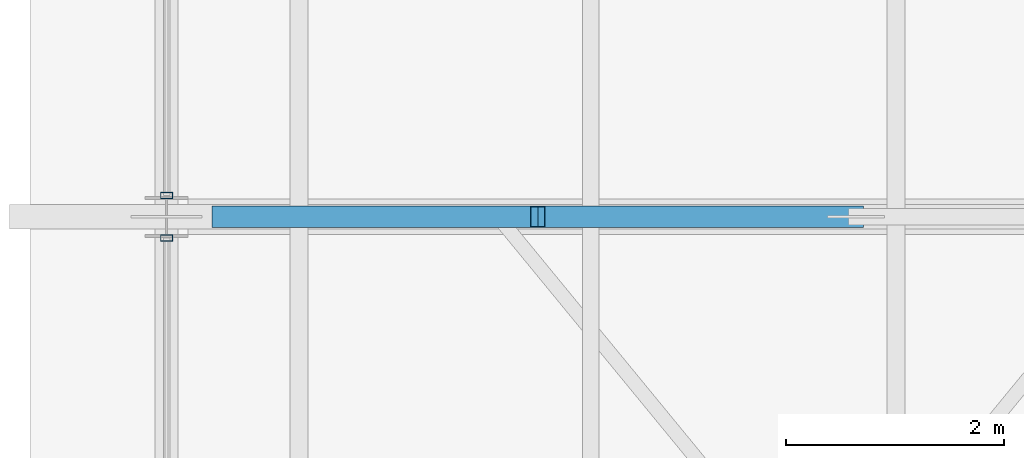
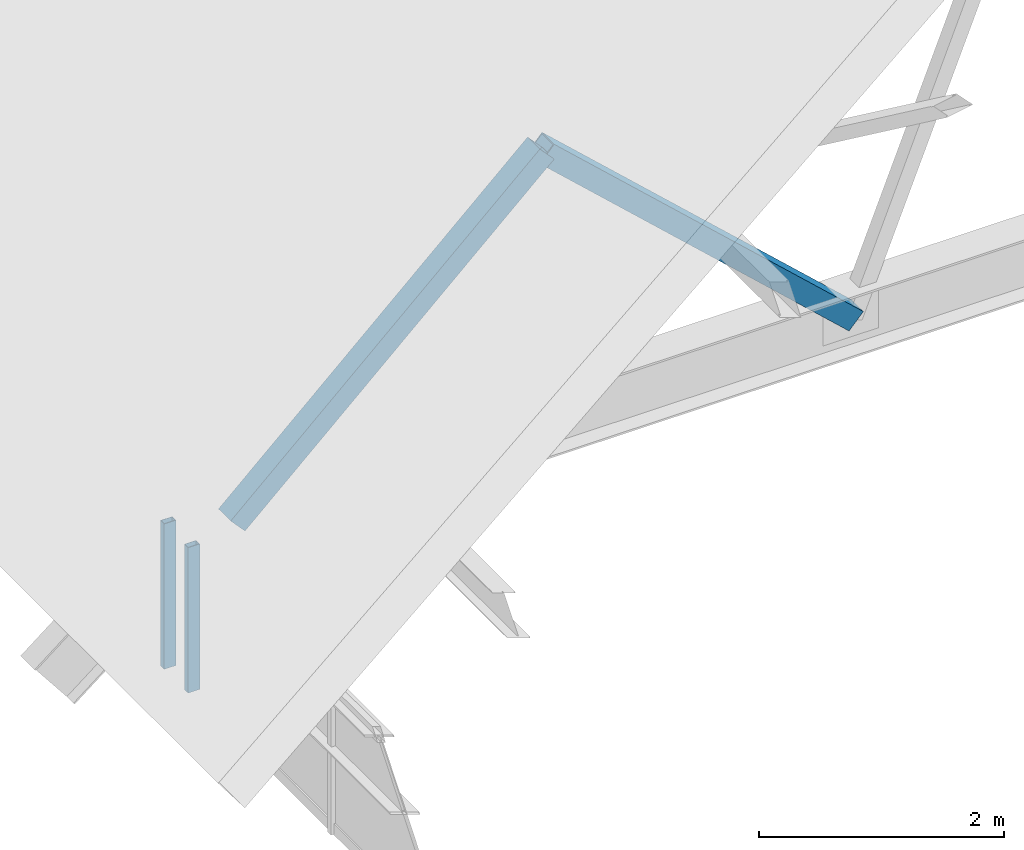
# One storey, part 16 of 44: 4 members, 2 elements without a shape of their own.
"""IFC4 building model written with IfcOpenShell, lengths in metres."""

from ifc_helpers import new_model, si_unit, direction, frame, origin, origin_2d, place, context, subcontext, project, spatial, hollow_rectangle, extrude, material, material_profile, profile_set, type_object, element, aggregate, save


model = new_model("IFC4")

# Units and contexts
model_context = context("Model", 3, precision=1e-05, world=origin(), true_north=direction((0.0, 1.0)))
body_context = subcontext(model_context, "Body", "Model", "MODEL_VIEW")
ifc_project = project(units=[si_unit("LENGTHUNIT", "METRE"), si_unit("AREAUNIT", "SQUARE_METRE"), si_unit("VOLUMEUNIT", "CUBIC_METRE"), si_unit("PLANEANGLEUNIT", "RADIAN"), si_unit("MASSUNIT", "GRAM", prefix="KILO")], contexts=[model_context])

# Site, building, storey
site_placement = place(None, origin())
site = spatial("IfcSite", under=ifc_project, at=site_placement, CompositionType="ELEMENT")
building_placement = place(site_placement, origin())
building = spatial("IfcBuilding", under=site, at=building_placement, Name="Cimatlan Art Gallery", CompositionType="ELEMENT")
storey_placement = place(building_placement, frame((0.0, 0.0, 26.39990234375)))
storey = spatial("IfcBuildingStorey", under=building, at=storey_placement, Name="Roof", CompositionType="ELEMENT", Elevation=26.39990234375)

# Curtain wall, member
ifc_material_1 = material(Name="Anodised bronze unitised curtain wall")
curtain_wall_type = type_object("IfcCurtainWallType", Name="CW-V-07010X01450-B3", PredefinedType="NOTDEFINED", material=ifc_material_1)
curtain_wall_1_placement = place(storey_placement, origin())
curtain_wall_1 = element("IfcCurtainWall", 1, at=curtain_wall_1_placement, inside=storey, type_object=curtain_wall_type, Name="CW-CRW-W-06", PredefinedType="NOTDEFINED")
ifc_material_2 = material(Name="Anodised bronze aluminium 6063-T6", Category="aluminium")
ifc_material_profile_1 = material_profile(ifc_material_2, hollow_rectangle(XDim=0.06005859375, YDim=0.110107421875, WallThickness=0.00341796875, at=origin_2d()), Name="ALU60X110X3")
ifc_profile_set_1 = profile_set([ifc_material_profile_1], Name="Anodised bronze aluminium 6063-T6")
member_type_1 = type_object("IfcMemberType", Name="CW-MUL-110", PredefinedType="MULLION", material=ifc_profile_set_1)
member_1_placement = place(storey_placement, frame((74.89990234375, 53.304931640625, 0.0), z_axis=(0.0, 0.0, 1.0), x_axis=(0.0, 1.0, 0.0)))
member_1 = element("IfcMember", 2, at=member_1_placement, type_object=member_type_1, Name="CW-CRW-W-06-M4", PredefinedType="MULLION", context=body_context, shape_type="SweptSolid", body=[
    extrude(hollow_rectangle(XDim=0.06005859375, YDim=0.110107421875, WallThickness=0.00341796875, at=origin_2d()), origin(), (0.0, 0.0, 1.0), 1.4501953125),
])
aggregate(curtain_wall_1, [member_1])

curtain_wall_2_placement = place(storey_placement, origin())
curtain_wall_2 = element("IfcCurtainWall", 3, at=curtain_wall_2_placement, inside=storey, type_object=curtain_wall_type, Name="CW-CRW-W-07", PredefinedType="NOTDEFINED")
member_2_placement = place(storey_placement, frame((74.89990234375, 53.695068359375, 0.0), z_axis=(0.0, 0.0, 1.0), x_axis=(0.0, 1.0, 0.0)))
member_2 = element("IfcMember", 4, at=member_2_placement, type_object=member_type_1, Name="CW-CRW-W-07-M1", PredefinedType="MULLION", context=body_context, shape_type="SweptSolid", body=[
    extrude(hollow_rectangle(XDim=0.06005859375, YDim=0.110107421875, WallThickness=0.00341796875, at=origin_2d()), origin(), (0.0, 0.0, 1.0), 1.4501953125),
])
aggregate(curtain_wall_2, [member_2])

# Members
ifc_material_3 = material(Name="Steel ASTM A500 Grade C", Category="steel")
ifc_material_profile_2 = material_profile(ifc_material_3, hollow_rectangle(XDim=0.199951171875, YDim=0.199951171875, WallThickness=0.010009765625, at=origin_2d()), Name="HSS200X200X10")
ifc_profile_set_2 = profile_set([ifc_material_profile_2], Name="Steel ASTM A500 Grade C")
member_type_2 = type_object("IfcMemberType", Name="MBR-TRS-DIAG-1", PredefinedType="BRACE", material=ifc_profile_set_2)
for number, where, z_axis, x_axis, name in (
    (5, (75.385986328125, 53.5, 1.400146484375), (0.735270574228, 0.0, 0.677773695768), (0.0, 1.0, 0.0), "TRS-05-DW-1"),
    (6, (78.302001953125, 53.5, 4.088134765625), (0.735270574228, 0.0, -0.677773695768), (0.0, 1.0, 0.0), "TRS-05-DW-2"),
):
    element("IfcMember", number, at=place(storey_placement, frame(where, z_axis=z_axis, x_axis=x_axis)), inside=storey, type_object=member_type_2, Name=name, PredefinedType="BRACE", context=body_context, shape_type="SweptSolid", body=[
        extrude(hollow_rectangle(XDim=0.199951171875, YDim=0.199951171875, WallThickness=0.010009765625, at=origin_2d()), origin(), (0.0, 0.0, 1.0), 3.9658203125),
    ])

save(model, "model.ifc")
